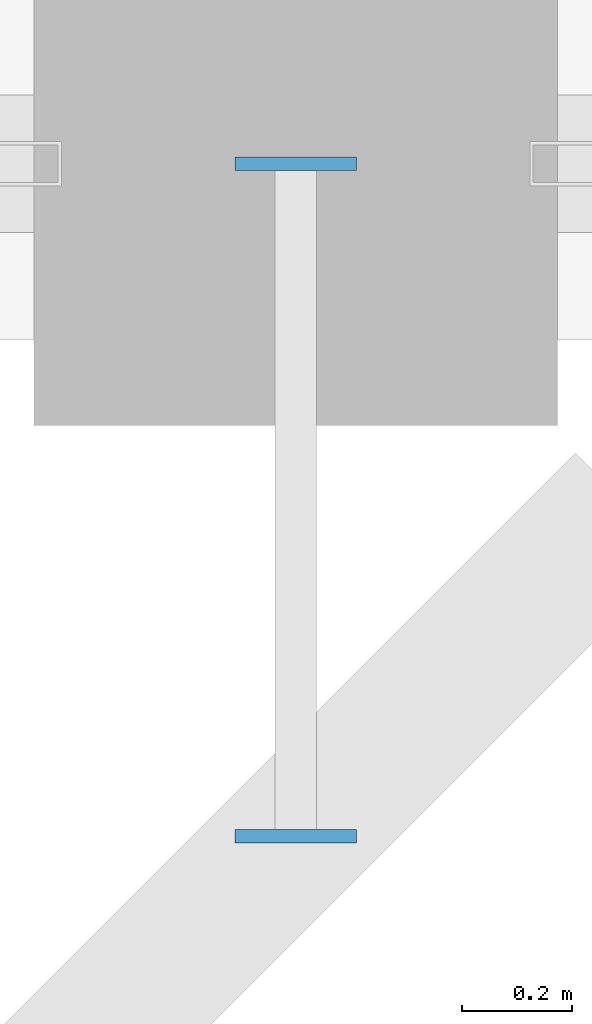
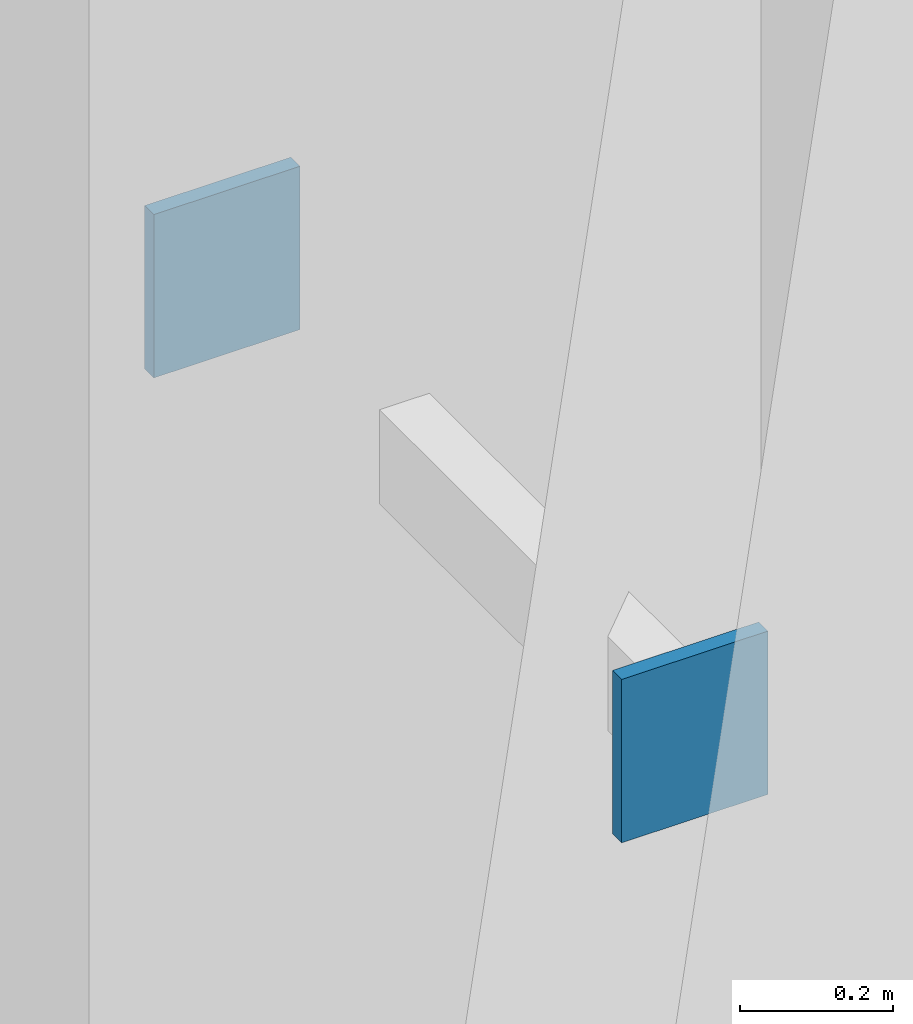
# One storey, part 46 of 59: 2 discrete accessories.
"""IFC4 building model written with IfcOpenShell, lengths in metres."""

import ifcopenshell
import ifcopenshell.guid

model = None  # the IFC model being written
_history = None  # IfcOwnerHistory: only IFC2X3 demands one
_inside = {}  # id of a spatial element -> (the spatial element, [elements in it])
_under = {}  # id of a project, library or spatial element -> (it, [spatial elements below it])
_declared = {}  # id of a project -> (the project, [libraries it declares])
_typed = {}  # id of a type object -> (the type object, [elements of that type])
_made_of = {}  # id of a material, layer set ... -> (it, [elements and type objects made of it])


def new_model(schema):
    """Start an empty IFC model of exactly this schema.

    Asked for "IFC4X3", IfcOpenShell would pick the latest addendum, in which some entities
    have other attributes; the version numbers below select the first issue.
    IFC2X3 requires an IfcOwnerHistory on every rooted entity: one is made here for all.
    """
    global model, _history
    if schema == "IFC4X3":
        model = ifcopenshell.file(schema_version=(4, 3, 0, 0))
    else:
        model = ifcopenshell.file(schema=schema)
    _inside.clear()
    _under.clear()
    _declared.clear()
    _typed.clear()
    _made_of.clear()
    _history = None
    if model.schema == "IFC2X3":
        org = make("IfcOrganization", Name="unknown")
        user = make(
            "IfcPersonAndOrganization",
            ThePerson=make("IfcPerson", FamilyName="unknown"),
            TheOrganization=org,
        )
        app = make(
            "IfcApplication",
            ApplicationDeveloper=org,
            Version="unknown",
            ApplicationFullName="unknown",
            ApplicationIdentifier="unknown",
        )
        _history = make(
            "IfcOwnerHistory",
            OwningUser=user,
            OwningApplication=app,
            ChangeAction="ADDED",
            CreationDate=0,
        )
    return model


def make(cls, **values):
    """One entity of the class cls with the attributes given. An attribute that is None is left unset."""
    return model.create_entity(
        cls, **{name: value for name, value in values.items() if value is not None}
    )


def rooted(cls, **values):
    """An entity with a GlobalId (a new one), such as an element, a storey or a relation."""
    return make(cls, GlobalId=ifcopenshell.guid.new(), OwnerHistory=_history, **values)


def si_unit(unit_type, name, prefix=None):
    """IfcSIUnit, for example si_unit("LENGTHUNIT", "METRE", prefix="MILLI")."""
    return make("IfcSIUnit", UnitType=unit_type, Prefix=prefix, Name=name)


def assignment(units):
    """IfcUnitAssignment: the units of a project."""
    return None if units is None else make("IfcUnitAssignment", Units=units)


def point(xyz):
    """IfcCartesianPoint."""
    return None if xyz is None else make("IfcCartesianPoint", Coordinates=xyz)


def direction(xyz):
    """IfcDirection."""
    return None if xyz is None else make("IfcDirection", DirectionRatios=xyz)


def frame(location, z_axis=None, x_axis=None):
    """IfcAxis2Placement3D, a coordinate frame: its origin and axes. An axis left out is left unset."""
    return make(
        "IfcAxis2Placement3D",
        Location=point(location),
        Axis=direction(z_axis),
        RefDirection=direction(x_axis),
    )


def frame_2d(location, x_axis=None):
    """IfcAxis2Placement2D, a coordinate frame in the plane: its origin and x axis."""
    return make(
        "IfcAxis2Placement2D", Location=point(location), RefDirection=direction(x_axis)
    )


def origin():
    """The frame at (0, 0, 0) with its axes left unset."""
    return frame((0.0, 0.0, 0.0))


def origin_2d():
    """The frame at (0, 0) in the plane with its x axis left unset."""
    return frame_2d((0.0, 0.0))


def place(relative_to, where):
    """IfcLocalPlacement: puts the frame where relative to a parent placement (None: the world)."""
    return make(
        "IfcLocalPlacement", PlacementRelTo=relative_to, RelativePlacement=where
    )


def context(
    kind, dimensions, precision=None, world=None, true_north=None, identifier=None
):
    """IfcGeometricRepresentationContext, for example the 3D "Model" context."""
    return make(
        "IfcGeometricRepresentationContext",
        ContextIdentifier=identifier,
        ContextType=kind,
        CoordinateSpaceDimension=dimensions,
        Precision=precision,
        WorldCoordinateSystem=world,
        TrueNorth=true_north,
    )


def subcontext(parent, identifier, kind, view, scale=None):
    """IfcGeometricRepresentationSubContext, for example "Body" below "Model"."""
    return make(
        "IfcGeometricRepresentationSubContext",
        ContextIdentifier=identifier,
        ContextType=kind,
        ParentContext=parent,
        TargetScale=scale,
        TargetView=view,
    )


def project(units=None, contexts=None):
    """IfcProject with its units and contexts."""
    return rooted(
        "IfcProject",
        Name="project",
        RepresentationContexts=contexts,
        UnitsInContext=assignment(units),
    )


def spatial(cls, under=None, at=None, **own):
    """A site, building, storey or space (cls), placed at a placement, below another one or the project."""
    s = rooted(cls, ObjectPlacement=at, **own)
    if under is not None:
        _under.setdefault(under.id(), (under, []))[1].append(s)
    return s


def profile(cls, at=None, kind="AREA", **sizes):
    """A parametric profile (cls). Its sizes go by their IFC names, for example OverallWidth=200.0."""
    return make(cls, ProfileType=kind, Position=at, **sizes)


def rectangle(**sizes):
    """IfcRectangleProfileDef."""
    return profile("IfcRectangleProfileDef", **sizes)


def extrude(swept, where, along, depth):
    """IfcExtrudedAreaSolid: the profile swept, set in the frame where, extruded along a direction by depth."""
    return make(
        "IfcExtrudedAreaSolid",
        SweptArea=swept,
        Position=where,
        ExtrudedDirection=direction(along),
        Depth=depth,
    )


def shape(context_of_items, identifier, shape_type, items):
    """IfcShapeRepresentation: the items that make up one representation, for example the "Body"."""
    return make(
        "IfcShapeRepresentation",
        ContextOfItems=context_of_items,
        RepresentationIdentifier=identifier,
        RepresentationType=shape_type,
        Items=items,
    )


def material(Name=None, Category=None):
    """IfcMaterial."""
    return make("IfcMaterial", Name=Name, Category=Category)


def made_of(thing, what):
    """Note that an element or type object is made of a material, layer set ...; save() writes the relation."""
    if what is not None:
        _made_of.setdefault(what.id(), (what, []))[1].append(thing)
    return thing


def type_object(cls, material=None, **own):
    """A type object (cls), such as IfcWallType, which elements share."""
    return made_of(rooted(cls, **own), material)


def element(
    cls,
    number,
    at=None,
    inside=None,
    cuts=None,
    type_object=None,
    material=None,
    context=None,
    identifier="Body",
    shape_type=None,
    held_by="IfcProductDefinitionShape",
    body=None,
    shapes=None,
    **own,
):
    """One element of the class cls, such as IfcWall. Its Tag is "e" and its number.

    at: its placement. inside: the storey or other place that contains it. cuts: it is an
    opening in that element (IfcRelVoidsElement). A single representation is given by context,
    identifier, shape_type and body (its items); several are given by shapes. held_by: the class
    of the entity that holds the representations. save() writes the other relations.
    """
    e = rooted(cls, Tag="e%d" % number, ObjectPlacement=at, **own)
    if body is not None:
        shapes = [shape(context, identifier, shape_type, body)]
    if shapes is not None:
        e.Representation = make(held_by, Representations=shapes)
    if inside is not None:
        _inside.setdefault(inside.id(), (inside, []))[1].append(e)
    if cuts is not None:
        rooted(
            "IfcRelVoidsElement", RelatingBuildingElement=cuts, RelatedOpeningElement=e
        )
    if type_object is not None:
        _typed.setdefault(type_object.id(), (type_object, []))[1].append(e)
    return made_of(e, material)


def aggregate(whole, parts):
    """IfcRelAggregates: a whole, such as a stair, and the parts it consists of."""
    return rooted("IfcRelAggregates", RelatingObject=whole, RelatedObjects=parts)


def save(model, path):
    """Write the relations noted so far, then the file.

    IfcRelAggregates (storeys below a building ...), IfcRelContainedInSpatialStructure (elements
    in a storey), IfcRelDefinesByType, IfcRelAssociatesMaterial and IfcRelDeclares: one each for
    every whole, place, type object, material and project.
    """
    for whole, parts in _under.values():
        aggregate(whole, parts)
    for where, things in _inside.values():
        rooted(
            "IfcRelContainedInSpatialStructure",
            RelatedElements=things,
            RelatingStructure=where,
        )
    for kind, things in _typed.values():
        rooted("IfcRelDefinesByType", RelatedObjects=things, RelatingType=kind)
    for what, things in _made_of.values():
        rooted("IfcRelAssociatesMaterial", RelatedObjects=things, RelatingMaterial=what)
    for by, libraries in _declared.values():
        rooted("IfcRelDeclares", RelatingContext=by, RelatedDefinitions=libraries)
    model.write(path)


model = new_model("IFC4")

# Units and contexts
model_context = context("Model", 3, precision=1e-05, world=origin(), true_north=direction((0.0, 1.0)))
body_context = subcontext(model_context, "Body", "Model", "MODEL_VIEW")
ifc_project = project(units=[si_unit("LENGTHUNIT", "METRE"), si_unit("AREAUNIT", "SQUARE_METRE"), si_unit("VOLUMEUNIT", "CUBIC_METRE"), si_unit("PLANEANGLEUNIT", "RADIAN"), si_unit("MASSUNIT", "GRAM", prefix="KILO")], contexts=[model_context])

# Site, building, storey
site_placement = place(None, origin())
site = spatial("IfcSite", under=ifc_project, at=site_placement, CompositionType="ELEMENT")
building_placement = place(site_placement, origin())
building = spatial("IfcBuilding", under=site, at=building_placement, Name="Kandorven Conservatory and Botanical Research Centre", CompositionType="ELEMENT")
storey_placement = place(building_placement, frame((0.0, 0.0, 4.800048828125)))
storey = spatial("IfcBuildingStorey", under=building, at=storey_placement, Name="L01", CompositionType="ELEMENT", Elevation=4.800048828125)

# Discrete accessories
ifc_material = material(Name="Steel S355 (IS 2062 E350)", Category="steel")
discrete_accessory_type = type_object("IfcDiscreteAccessoryType", Name="SteelGussetPlate", PredefinedType="BRACKET", material=ifc_material)
for number, where, z_axis, x_axis, name in (
    (1, (27.60009765625, 6.0, 1.3701171875), (0.0, 0.0, 1.0), (1.0, 0.0, 0.0), "Welded steel strut end-plate GUS-01 #5A"),
    (2, (27.60009765625, 4.780029296875, 1.3701171875), (0.0, 0.0, 1.0), (1.0, 0.0, 0.0), "Welded steel strut end-plate GUS-01 #5B"),
):
    element("IfcDiscreteAccessory", number, at=place(storey_placement, frame(where, z_axis=z_axis, x_axis=x_axis)), inside=storey, type_object=discrete_accessory_type, Name=name, PredefinedType="BRACKET", context=body_context, shape_type="SweptSolid", body=[
        extrude(rectangle(XDim=0.219970703125, YDim=0.02392578125, at=origin_2d()), origin(), (0.0, 0.0, 1.0), 0.260009765625),
    ])

save(model, "model.ifc")
